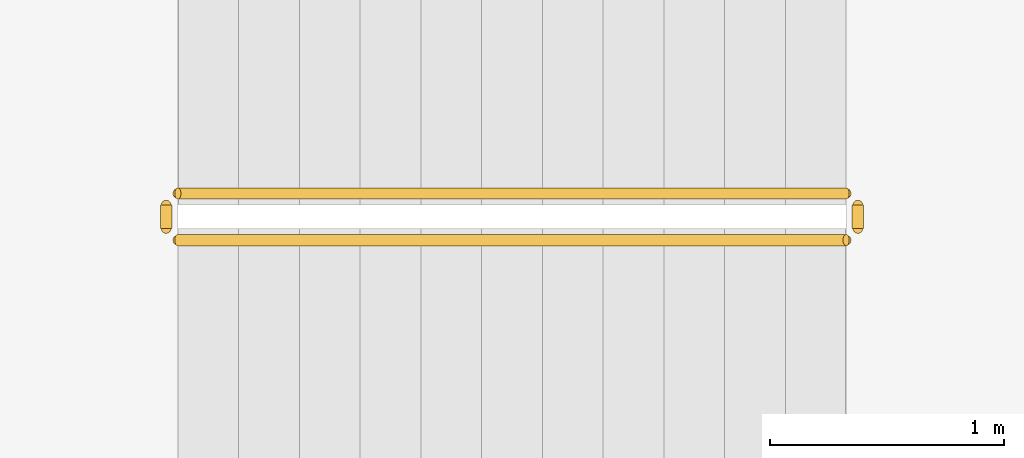
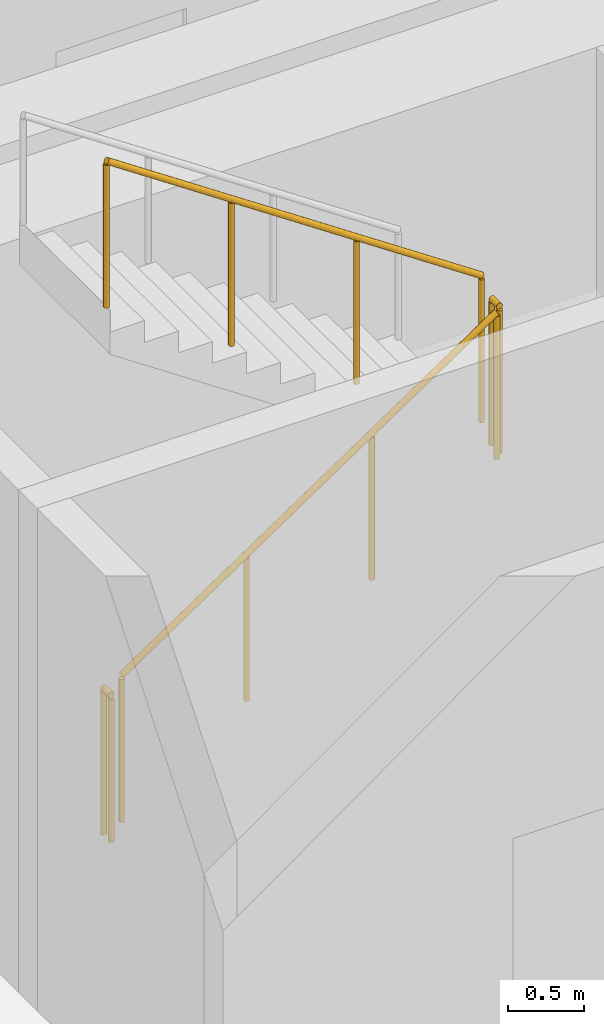
# One storey, part 20 of 24: 4 railings.
"""IFC4 building model written with IfcOpenShell, lengths in metres."""

from ifc_helpers import new_model, si_unit, direction, frame, origin, origin_2d, place, context, subcontext, project, spatial, circle, extrude, material, type_object, element, save


model = new_model("IFC4")

# Units and contexts
model_context = context("Model", 3, precision=1e-05, world=origin(), true_north=direction((0.0, 1.0)))
body_context = subcontext(model_context, "Body", "Model", "MODEL_VIEW")
ifc_project = project(units=[si_unit("LENGTHUNIT", "METRE"), si_unit("AREAUNIT", "SQUARE_METRE"), si_unit("VOLUMEUNIT", "CUBIC_METRE"), si_unit("PLANEANGLEUNIT", "RADIAN"), si_unit("MASSUNIT", "GRAM", prefix="KILO")], contexts=[model_context])

# Site, building, storey
site_placement = place(None, origin())
site = spatial("IfcSite", under=ifc_project, at=site_placement, CompositionType="ELEMENT")
building_placement = place(site_placement, origin())
building = spatial("IfcBuilding", under=site, at=building_placement, Name="Sahrelin Media Tower", CompositionType="ELEMENT")
storey_placement = place(building_placement, frame((0.0, 0.0, 71.39990234375)))
storey = spatial("IfcBuildingStorey", under=building, at=storey_placement, Name="L12", CompositionType="ELEMENT", Elevation=71.39990234375)

# Railings
ifc_material = material(Name="Steel S355", Category="steel")
railing_type = type_object("IfcRailingType", Name="Stair guard 1200", PredefinedType="GUARDRAIL", material=ifc_material)
railing_1_placement = place(storey_placement, frame((-7.675048828125, 5.25, 0.175048828125)))
element("IfcRailing", 1, at=railing_1_placement, inside=storey, type_object=railing_type, Name="L12 ST1 stair guard 1", PredefinedType="GUARDRAIL", context=body_context, shape_type="SweptSolid", body=[
    extrude(circle(Radius=0.02392578125, at=origin_2d()), frame((0.0, 0.0, 1.17578125), z_axis=(0.829590901723, 0.0, 0.558371682465), x_axis=(0.0, 1.0, 0.0)), (0.0, 0.0, 1.0), 3.447509765625),
    extrude(circle(Radius=0.02099609375, at=origin_2d()), origin(), (0.0, 0.0, 1.0), 1.15185546875),
    extrude(circle(Radius=0.02099609375, at=origin_2d()), frame((0.953369140625, 0.0, 0.6416015625)), (0.0, 0.0, 1.0), 1.15185546875),
    extrude(circle(Radius=0.02099609375, at=origin_2d()), frame((1.90673828125, 0.0, 1.283447265625)), (0.0, 0.0, 1.0), 1.15185546875),
    extrude(circle(Radius=0.02099609375, at=origin_2d()), frame((2.860107421875, 0.0, 1.925048828125)), (0.0, 0.0, 1.0), 1.15185546875),
])
railing_2_placement = place(storey_placement, frame((-4.764892578125, 5.300048828125, 2.10009765625)))
element("IfcRailing", 2, at=railing_2_placement, inside=storey, type_object=railing_type, Name="L12 ST1 stair guard 2", PredefinedType="GUARDRAIL", context=body_context, shape_type="SweptSolid", body=[
    extrude(circle(Radius=0.02392578125, at=origin_2d()), frame((0.0, 0.0, 1.17578125), z_axis=(0.0, 1.0, 0.0), x_axis=(-1.0, 0.0, 0.0)), (0.0, 0.0, 1.0), 0.099853515625),
    extrude(circle(Radius=0.02099609375, at=origin_2d()), origin(), (0.0, 0.0, 1.0), 1.15185546875),
    extrude(circle(Radius=0.02099609375, at=origin_2d()), frame((0.0, 0.099853515625, 0.0)), (0.0, 0.0, 1.0), 1.15185546875),
])
railing_3_placement = place(storey_placement, frame((-4.81494140625, 5.449951171875, 2.275146484375)))
element("IfcRailing", 3, at=railing_3_placement, inside=storey, type_object=railing_type, Name="L12 ST1 stair guard 3", PredefinedType="GUARDRAIL", context=body_context, shape_type="SweptSolid", body=[
    extrude(circle(Radius=0.02392578125, at=origin_2d()), frame((0.0, 0.0, 1.17578125), z_axis=(-0.829590901723, 0.0, 0.558371682465), x_axis=(0.0, -1.0, 0.0)), (0.0, 0.0, 1.0), 3.447509765625),
    extrude(circle(Radius=0.02099609375, at=origin_2d()), origin(), (0.0, 0.0, 1.0), 1.15185546875),
    extrude(circle(Radius=0.02099609375, at=origin_2d()), frame((-0.953369140625, 0.0, 0.6416015625)), (0.0, 0.0, 1.0), 1.15185546875),
    extrude(circle(Radius=0.02099609375, at=origin_2d()), frame((-1.90673828125, 0.0, 1.283447265625)), (0.0, 0.0, 1.0), 1.15185546875),
    extrude(circle(Radius=0.02099609375, at=origin_2d()), frame((-2.860107421875, 0.0, 1.925048828125)), (0.0, 0.0, 1.0), 1.15185546875),
])
railing_4_placement = place(storey_placement, frame((-7.72509765625, 5.300048828125, 0.0)))
element("IfcRailing", 4, at=railing_4_placement, inside=storey, type_object=railing_type, Name="L12 ST1 stair guard 4", PredefinedType="GUARDRAIL", context=body_context, shape_type="SweptSolid", body=[
    extrude(circle(Radius=0.02392578125, at=origin_2d()), frame((0.0, 0.0, 1.17578125), z_axis=(0.0, 1.0, 0.0), x_axis=(-1.0, 0.0, 0.0)), (0.0, 0.0, 1.0), 0.099853515625),
    extrude(circle(Radius=0.02099609375, at=origin_2d()), origin(), (0.0, 0.0, 1.0), 1.15185546875),
    extrude(circle(Radius=0.02099609375, at=origin_2d()), frame((0.0, 0.099853515625, 0.0)), (0.0, 0.0, 1.0), 1.15185546875),
])

save(model, "model.ifc")
